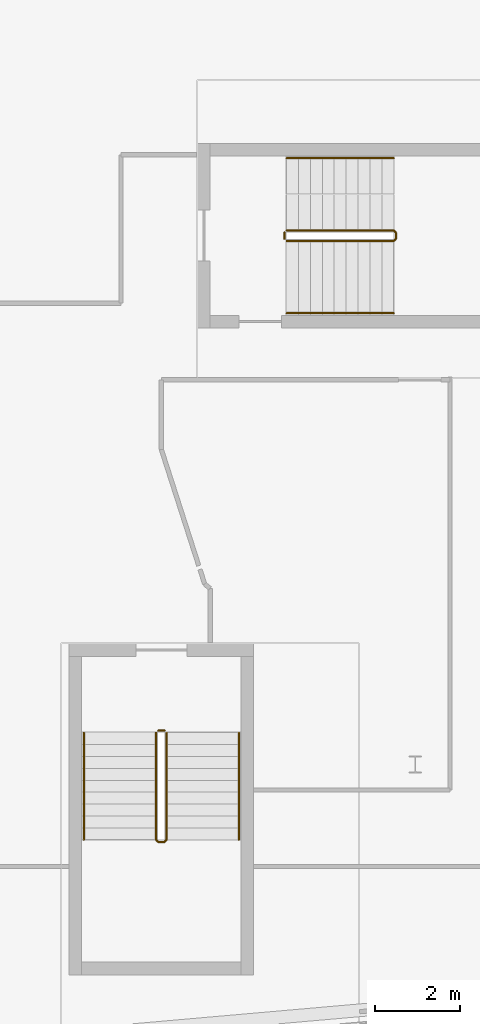
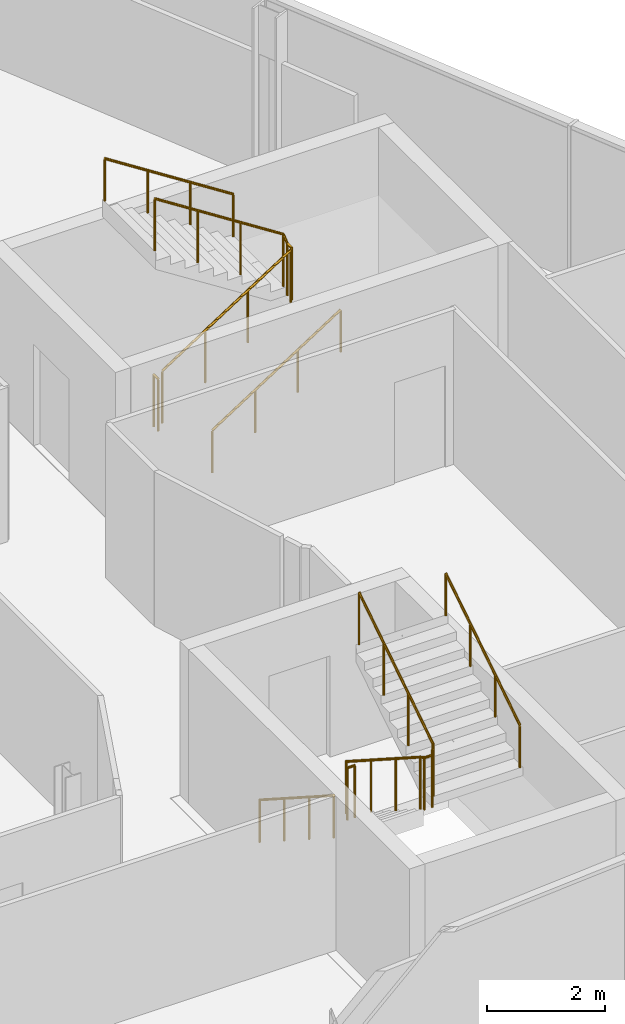
# One storey, part 21 of 22: 8 railings.
"""IFC4 building model written with IfcOpenShell, lengths in metres."""

from ifc_helpers import new_model, si_unit, direction, frame, origin, origin_2d, place, context, subcontext, project, spatial, circle, extrude, material, type_object, element, save


model = new_model("IFC4")

# Units and contexts
model_context = context("Model", 3, precision=1e-05, world=origin(), true_north=direction((0.0, 1.0)))
body_context = subcontext(model_context, "Body", "Model", "MODEL_VIEW")
ifc_project = project(units=[si_unit("LENGTHUNIT", "METRE"), si_unit("AREAUNIT", "SQUARE_METRE"), si_unit("VOLUMEUNIT", "CUBIC_METRE"), si_unit("PLANEANGLEUNIT", "RADIAN"), si_unit("MASSUNIT", "GRAM", prefix="KILO")], contexts=[model_context])

# Site, building, storey
site_placement = place(None, origin())
site = spatial("IfcSite", under=ifc_project, at=site_placement, CompositionType="ELEMENT")
building_placement = place(site_placement, origin())
building = spatial("IfcBuilding", under=site, at=building_placement, Name="Wharfspan Tower", CompositionType="ELEMENT")
storey_placement = place(building_placement, frame((0.0, 0.0, 246.699951)))
storey = spatial("IfcBuildingStorey", under=building, at=storey_placement, Name="L62", CompositionType="ELEMENT", Elevation=246.699951)

# Railings
ifc_material = material(Name="Steel S355J2", Category="steel")
railing_type_1 = type_object("IfcRailingType", Name="Stair guard 1100", PredefinedType="GUARDRAIL", material=ifc_material)
railing_1_placement = place(storey_placement, frame((65.893799, 12.246094, 0.179932)))
element("IfcRailing", 1, at=railing_1_placement, inside=storey, type_object=railing_type_1, Name="L62 ST5 stair guard 1", PredefinedType="GUARDRAIL", context=body_context, shape_type="SweptSolid", body=[
    extrude(circle(Radius=0.023926, at=origin_2d()), frame((0.0, 0.0, 1.076172), z_axis=(0.0, -0.841163, 0.540782), x_axis=(1.0, 0.0, 0.0)), (0.0, 0.0, 1.0), 2.99585),
    extrude(circle(Radius=0.023926, at=origin_2d()), frame((0.0, -2.52002, 2.696289), z_axis=(0.708834, -0.705376, 0.0), x_axis=(0.705376, 0.708834, 0.0)), (0.0, 0.0, 1.0), 0.070557),
    extrude(circle(Radius=0.023926, at=origin_2d()), frame((0.050049, -2.569824, 2.696289), z_axis=(1.0, 0.0, 0.0), x_axis=(0.0, 1.0, 0.0)), (0.0, 0.0, 1.0), 0.149902),
    extrude(circle(Radius=0.023926, at=origin_2d()), frame((0.199951, -2.569824, 2.696289), z_axis=(0.258932, 0.257669, 0.930892), x_axis=(-0.705372, 0.708833, -1e-06)), (0.0, 0.0, 1.0), 0.193359),
    extrude(circle(Radius=0.023926, at=origin_2d()), frame((0.25, -2.52002, 2.875977), z_axis=(0.0, 0.841163, 0.540782), x_axis=(-1.0, 0.0, 0.0)), (0.0, 0.0, 1.0), 2.99585),
    extrude(circle(Radius=0.020996, at=origin_2d()), origin(), (0.0, 0.0, 1.0), 1.052002),
    extrude(circle(Radius=0.020996, at=origin_2d()), frame((0.0, -0.840088, 0.540039)), (0.0, 0.0, 1.0), 1.052002),
    extrude(circle(Radius=0.020996, at=origin_2d()), frame((0.0, -1.679932, 1.080078)), (0.0, 0.0, 1.0), 1.052002),
    extrude(circle(Radius=0.020996, at=origin_2d()), frame((0.0, -2.52002, 1.620117)), (0.0, 0.0, 1.0), 1.052002),
    extrude(circle(Radius=0.020996, at=origin_2d()), frame((0.050049, -2.569824, 1.620117)), (0.0, 0.0, 1.0), 1.052002),
    extrude(circle(Radius=0.020996, at=origin_2d()), frame((0.199951, -2.569824, 1.620117)), (0.0, 0.0, 1.0), 1.052002),
    extrude(circle(Radius=0.020996, at=origin_2d()), frame((0.25, -2.52002, 1.800049)), (0.0, 0.0, 1.0), 1.052002),
    extrude(circle(Radius=0.020996, at=origin_2d()), frame((0.25, -1.679932, 2.340088)), (0.0, 0.0, 1.0), 1.052002),
    extrude(circle(Radius=0.020996, at=origin_2d()), frame((0.25, -0.840088, 2.880127)), (0.0, 0.0, 1.0), 1.052002),
    extrude(circle(Radius=0.020996, at=origin_2d()), frame((0.25, 0.0, 3.420166)), (0.0, 0.0, 1.0), 1.052002),
])
railing_2_placement = place(storey_placement, frame((65.943848, 12.296143, 0.0)))
element("IfcRailing", 2, at=railing_2_placement, inside=storey, type_object=railing_type_1, Name="L62 ST5 stair guard 2", PredefinedType="GUARDRAIL", context=body_context, shape_type="SweptSolid", body=[
    extrude(circle(Radius=0.023926, at=origin_2d()), frame((0.0, 0.0, 1.076172), z_axis=(1.0, 0.0, 0.0), x_axis=(0.0, 1.0, 0.0)), (0.0, 0.0, 1.0), 0.149902),
    extrude(circle(Radius=0.020996, at=origin_2d()), origin(), (0.0, 0.0, 1.0), 1.052002),
    extrude(circle(Radius=0.020996, at=origin_2d()), frame((0.149902, 0.0, 0.0)), (0.0, 0.0, 1.0), 1.052002),
])
railing_3_placement = place(storey_placement, frame((68.969482, 23.824951, 0.179932)))
element("IfcRailing", 3, at=railing_3_placement, inside=storey, type_object=railing_type_1, Name="L62 ST6 stair guard 1", PredefinedType="GUARDRAIL", context=body_context, shape_type="SweptSolid", body=[
    extrude(circle(Radius=0.023926, at=origin_2d()), frame((0.0, 0.0, 1.076172), z_axis=(0.841163, 0.0, 0.540782), x_axis=(0.0, 1.0, 0.0)), (0.0, 0.0, 1.0), 2.99585),
    extrude(circle(Radius=0.023926, at=origin_2d()), frame((2.52002, 0.0, 2.696289), z_axis=(0.707107, 0.707107, 0.0), x_axis=(-0.707107, 0.707107, 0.0)), (0.0, 0.0, 1.0), 0.070801),
    extrude(circle(Radius=0.023926, at=origin_2d()), frame((2.570068, 0.050049, 2.696289), z_axis=(0.0, 1.0, 0.0), x_axis=(-1.0, 0.0, 0.0)), (0.0, 0.0, 1.0), 0.149902),
    extrude(circle(Radius=0.023926, at=origin_2d()), frame((2.570068, 0.199951, 2.696289), z_axis=(-0.258848, 0.258848, 0.930589), x_axis=(-0.707107, -0.707107, 0.0)), (0.0, 0.0, 1.0), 0.193359),
    extrude(circle(Radius=0.023926, at=origin_2d()), frame((2.52002, 0.25, 2.875977), z_axis=(-0.841163, 0.0, 0.540782), x_axis=(0.0, -1.0, 0.0)), (0.0, 0.0, 1.0), 2.99585),
    extrude(circle(Radius=0.020996, at=origin_2d()), origin(), (0.0, 0.0, 1.0), 1.052002),
    extrude(circle(Radius=0.020996, at=origin_2d()), frame((0.840088, 0.0, 0.540039)), (0.0, 0.0, 1.0), 1.052002),
    extrude(circle(Radius=0.020996, at=origin_2d()), frame((1.679932, 0.0, 1.080078)), (0.0, 0.0, 1.0), 1.052002),
    extrude(circle(Radius=0.020996, at=origin_2d()), frame((2.52002, 0.0, 1.620117)), (0.0, 0.0, 1.0), 1.052002),
    extrude(circle(Radius=0.020996, at=origin_2d()), frame((2.570068, 0.050049, 1.620117)), (0.0, 0.0, 1.0), 1.052002),
    extrude(circle(Radius=0.020996, at=origin_2d()), frame((2.570068, 0.199951, 1.620117)), (0.0, 0.0, 1.0), 1.052002),
    extrude(circle(Radius=0.020996, at=origin_2d()), frame((2.52002, 0.25, 1.800049)), (0.0, 0.0, 1.0), 1.052002),
    extrude(circle(Radius=0.020996, at=origin_2d()), frame((1.679932, 0.25, 2.340088)), (0.0, 0.0, 1.0), 1.052002),
    extrude(circle(Radius=0.020996, at=origin_2d()), frame((0.840088, 0.25, 2.880127)), (0.0, 0.0, 1.0), 1.052002),
    extrude(circle(Radius=0.020996, at=origin_2d()), frame((0.0, 0.25, 3.420166)), (0.0, 0.0, 1.0), 1.052002),
])
railing_4_placement = place(storey_placement, frame((68.919678, 23.875, 0.0)))
element("IfcRailing", 4, at=railing_4_placement, inside=storey, type_object=railing_type_1, Name="L62 ST6 stair guard 2", PredefinedType="GUARDRAIL", context=body_context, shape_type="SweptSolid", body=[
    extrude(circle(Radius=0.023926, at=origin_2d()), frame((0.0, 0.0, 1.076172), z_axis=(0.0, 1.0, 0.0), x_axis=(-1.0, 0.0, 0.0)), (0.0, 0.0, 1.0), 0.149902),
    extrude(circle(Radius=0.020996, at=origin_2d()), origin(), (0.0, 0.0, 1.0), 1.052002),
    extrude(circle(Radius=0.020996, at=origin_2d()), frame((0.0, 0.149902, 0.0)), (0.0, 0.0, 1.0), 1.052002),
])
railing_type_2 = type_object("IfcRailingType", Name="Stair handrail 900", PredefinedType="HANDRAIL", material=ifc_material)
railing_5_placement = place(storey_placement, frame((64.193848, 12.246094, 0.179932)))
element("IfcRailing", 5, at=railing_5_placement, inside=storey, type_object=railing_type_2, Name="L62 ST5 stair handrail 1", PredefinedType="HANDRAIL", context=body_context, shape_type="SweptSolid", body=[
    extrude(circle(Radius=0.023926, at=origin_2d()), frame((0.0, 0.0, 0.875977), z_axis=(0.0, -0.841163, 0.540782), x_axis=(1.0, 0.0, 0.0)), (0.0, 0.0, 1.0), 2.99585),
    extrude(circle(Radius=0.020996, at=origin_2d()), origin(), (0.0, 0.0, 1.0), 0.851807),
    extrude(circle(Radius=0.020996, at=origin_2d()), frame((0.0, -0.840088, 0.540039)), (0.0, 0.0, 1.0), 0.851807),
    extrude(circle(Radius=0.020996, at=origin_2d()), frame((0.0, -1.679932, 1.080078)), (0.0, 0.0, 1.0), 0.851807),
    extrude(circle(Radius=0.020996, at=origin_2d()), frame((0.0, -2.52002, 1.620117)), (0.0, 0.0, 1.0), 0.851807),
])
railing_6_placement = place(storey_placement, frame((67.84375, 9.726074, 1.97998)))
element("IfcRailing", 6, at=railing_6_placement, inside=storey, type_object=railing_type_2, Name="L62 ST5 stair handrail 2", PredefinedType="HANDRAIL", context=body_context, shape_type="SweptSolid", body=[
    extrude(circle(Radius=0.023926, at=origin_2d()), frame((0.0, 0.0, 0.875977), z_axis=(0.0, 0.841163, 0.540782), x_axis=(-1.0, 0.0, 0.0)), (0.0, 0.0, 1.0), 2.99585),
    extrude(circle(Radius=0.020996, at=origin_2d()), origin(), (0.0, 0.0, 1.0), 0.851807),
    extrude(circle(Radius=0.020996, at=origin_2d()), frame((0.0, 0.840088, 0.540039)), (0.0, 0.0, 1.0), 0.851807),
    extrude(circle(Radius=0.020996, at=origin_2d()), frame((0.0, 1.679932, 1.080078)), (0.0, 0.0, 1.0), 0.851807),
    extrude(circle(Radius=0.020996, at=origin_2d()), frame((0.0, 2.52002, 1.620117)), (0.0, 0.0, 1.0), 0.851807),
])
railing_7_placement = place(storey_placement, frame((68.969482, 22.125, 0.179932)))
element("IfcRailing", 7, at=railing_7_placement, inside=storey, type_object=railing_type_2, Name="L62 ST6 stair handrail 1", PredefinedType="HANDRAIL", context=body_context, shape_type="SweptSolid", body=[
    extrude(circle(Radius=0.023926, at=origin_2d()), frame((0.0, 0.0, 0.875977), z_axis=(0.841163, 0.0, 0.540782), x_axis=(0.0, 1.0, 0.0)), (0.0, 0.0, 1.0), 2.99585),
    extrude(circle(Radius=0.020996, at=origin_2d()), origin(), (0.0, 0.0, 1.0), 0.851807),
    extrude(circle(Radius=0.020996, at=origin_2d()), frame((0.840088, 0.0, 0.540039)), (0.0, 0.0, 1.0), 0.851807),
    extrude(circle(Radius=0.020996, at=origin_2d()), frame((1.679932, 0.0, 1.080078)), (0.0, 0.0, 1.0), 0.851807),
    extrude(circle(Radius=0.020996, at=origin_2d()), frame((2.52002, 0.0, 1.620117)), (0.0, 0.0, 1.0), 0.851807),
])
railing_8_placement = place(storey_placement, frame((71.489502, 25.774902, 1.97998)))
element("IfcRailing", 8, at=railing_8_placement, inside=storey, type_object=railing_type_2, Name="L62 ST6 stair handrail 2", PredefinedType="HANDRAIL", context=body_context, shape_type="SweptSolid", body=[
    extrude(circle(Radius=0.023926, at=origin_2d()), frame((0.0, 0.0, 0.875977), z_axis=(-0.841163, 0.0, 0.540782), x_axis=(0.0, -1.0, 0.0)), (0.0, 0.0, 1.0), 2.99585),
    extrude(circle(Radius=0.020996, at=origin_2d()), origin(), (0.0, 0.0, 1.0), 0.851807),
    extrude(circle(Radius=0.020996, at=origin_2d()), frame((-0.840088, 0.0, 0.540039)), (0.0, 0.0, 1.0), 0.851807),
    extrude(circle(Radius=0.020996, at=origin_2d()), frame((-1.679932, 0.0, 1.080078)), (0.0, 0.0, 1.0), 0.851807),
    extrude(circle(Radius=0.020996, at=origin_2d()), frame((-2.52002, 0.0, 1.620117)), (0.0, 0.0, 1.0), 0.851807),
])

save(model, "model.ifc")
